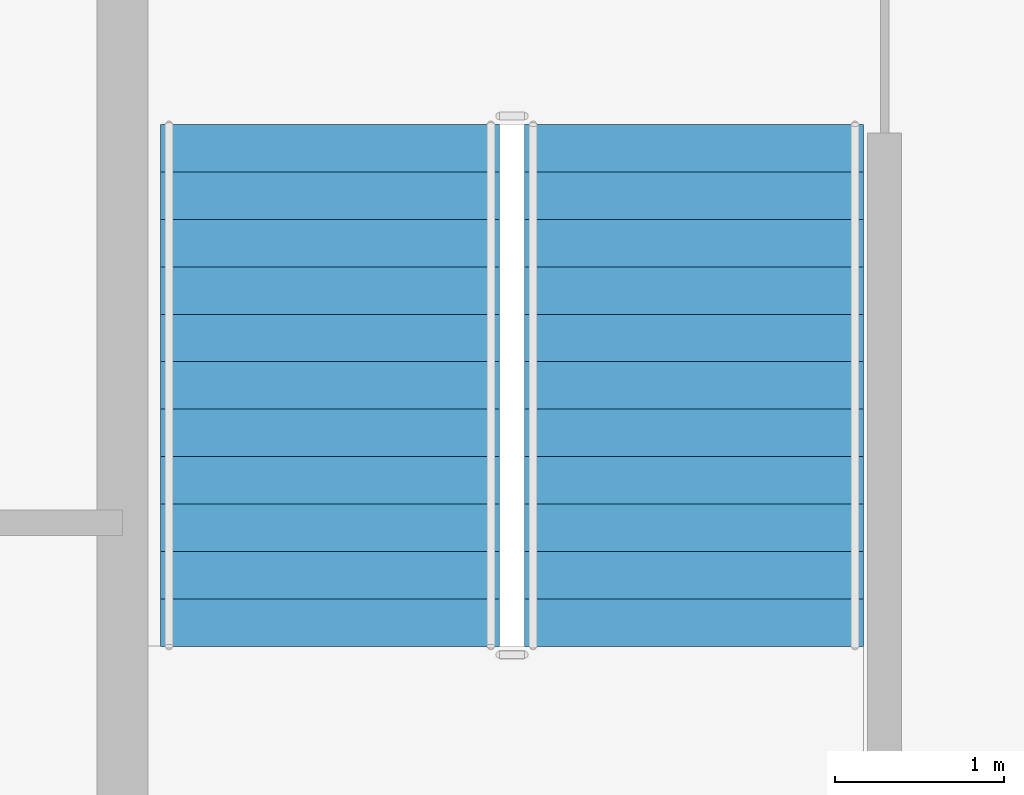
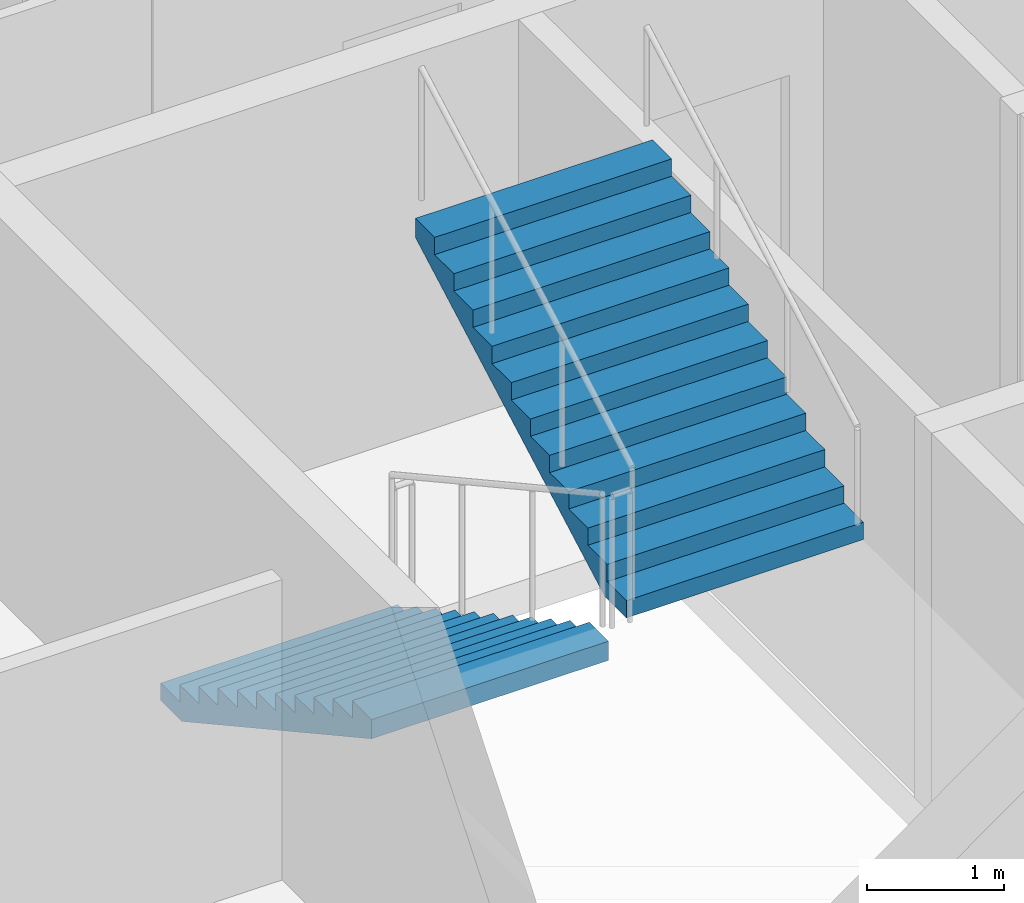
# One storey, part 7 of 11: 2 stair flights, 1 element without a shape of its own.
"""IFC4 building model written with IfcOpenShell, lengths in metres."""

from ifc_helpers import new_model, si_unit, direction, frame, origin, place, context, subcontext, project, spatial, polygons, material, type_object, element, aggregate, save


model = new_model("IFC4")

# Units and contexts
model_context = context("Model", 3, precision=1e-05, world=origin(), true_north=direction((0.0, 1.0)))
body_context = subcontext(model_context, "Body", "Model", "MODEL_VIEW")
ifc_project = project(units=[si_unit("LENGTHUNIT", "METRE"), si_unit("AREAUNIT", "SQUARE_METRE"), si_unit("VOLUMEUNIT", "CUBIC_METRE"), si_unit("PLANEANGLEUNIT", "RADIAN"), si_unit("MASSUNIT", "GRAM", prefix="KILO")], contexts=[model_context])

# Site, building, storey
site_placement = place(None, origin())
site = spatial("IfcSite", under=ifc_project, at=site_placement, CompositionType="ELEMENT")
building_placement = place(site_placement, origin())
building = spatial("IfcBuilding", under=site, at=building_placement, Name="Caravel Reach Hotel and Residences", CompositionType="ELEMENT")
storey_placement = place(building_placement, frame((0.0, 0.0, 249.0)))
storey = spatial("IfcBuildingStorey", under=building, at=storey_placement, Name="L63", CompositionType="ELEMENT", Elevation=249.0)

# Stair, stair flights
ifc_material_1 = material(Name="Concrete C40", Category="concrete")
stair_type = type_object("IfcStairType", Name="Core stair", PredefinedType="HALF_TURN_STAIR", material=ifc_material_1)
stair_placement = place(storey_placement, origin())
stair = element("IfcStair", 1, at=stair_placement, inside=storey, type_object=stair_type, Name="L63 Exit stair A", PredefinedType="HALF_TURN_STAIR")
ifc_material_2 = material(Name="Concrete C40", Category="concrete")
stair_flight_type = type_object("IfcStairFlightType", Name="Core stair flight", PredefinedType="STRAIGHT", material=ifc_material_2)
stair_flight_1_placement = place(storey_placement, frame((19.22509765625, 29.35009765625, 0.0), z_axis=(0.0, 0.0, 1.0), x_axis=(0.0, -1.0, 0.0)))
stair_flight_1 = element("IfcStairFlight", 2, at=stair_flight_1_placement, type_object=stair_flight_type, Name="ST-A flight 1", NumberOfRisers=12, NumberOfTreads=11, PredefinedType="STRAIGHT", RiserHeight=0.154166667, TreadLength=0.28, context=body_context, shape_type="Tessellation", body=[
    polygons([(0.3107950034306102, 1.0, 0.0), (0.3107950034306102, 0.6666666666666667, 0.0), (0.3107950034306102, 0.33333333333333337, 0.0), (0.3107950034306102, 0.0, 0.0), (0.3107950034306102, -0.33333333333333326, 0.0), (0.3107950034306102, -0.6666666666666667, 0.0), (0.3107950034306102, -1.0, 0.0), (3.081, 1.0, 1.524711087717319), (3.081, 0.6666666666666667, 1.524711087717319), (3.081, 0.33333333333333337, 1.524711087717319), (3.081, 0.0, 1.524711087717319), (3.081, -0.33333333333333326, 1.524711087717319), (3.081, -0.6666666666666667, 1.524711087717319), (3.081, -1.0, 1.524711087717319), (3.081, 1.0, 1.695833337), (3.081, 0.6666666666666667, 1.695833337), (3.081, 0.33333333333333337, 1.695833337), (3.081, 0.0, 1.695833337), (3.081, -0.33333333333333326, 1.695833337), (3.081, -0.6666666666666667, 1.695833337), (3.081, -1.0, 1.695833337), (2.8000000000000003, 1.0, 1.695833337), (2.8000000000000003, 0.6666666666666667, 1.695833337), (2.8000000000000003, 0.33333333333333337, 1.695833337), (2.8000000000000003, 0.0, 1.695833337), (2.8000000000000003, -0.33333333333333326, 1.695833337), (2.8000000000000003, -0.6666666666666667, 1.695833337), (2.8000000000000003, -1.0, 1.695833337), (2.8000000000000003, 1.0, 1.5416666700000001), (2.8000000000000003, 0.6666666666666667, 1.5416666700000001), (2.8000000000000003, 0.33333333333333337, 1.5416666700000001), (2.8000000000000003, 0.0, 1.5416666700000001), (2.8000000000000003, -0.33333333333333326, 1.5416666700000001), (2.8000000000000003, -0.6666666666666667, 1.5416666700000001), (2.8000000000000003, -1.0, 1.5416666700000001), (2.5200000000000005, 1.0, 1.5416666700000001), (2.5200000000000005, 0.6666666666666667, 1.5416666700000001), (2.5200000000000005, 0.33333333333333337, 1.5416666700000001), (2.5200000000000005, 0.0, 1.5416666700000001), (2.5200000000000005, -0.33333333333333326, 1.5416666700000001), (2.5200000000000005, -0.6666666666666667, 1.5416666700000001), (2.5200000000000005, -1.0, 1.5416666700000001), (2.5200000000000005, 1.0, 1.387500003), (2.5200000000000005, 0.6666666666666667, 1.387500003), (2.5200000000000005, 0.33333333333333337, 1.387500003), (2.5200000000000005, 0.0, 1.387500003), (2.5200000000000005, -0.33333333333333326, 1.387500003), (2.5200000000000005, -0.6666666666666667, 1.387500003), (2.5200000000000005, -1.0, 1.387500003), (2.24, 1.0, 1.387500003), (2.24, 0.6666666666666667, 1.387500003), (2.24, 0.33333333333333337, 1.387500003), (2.24, 0.0, 1.387500003), (2.24, -0.33333333333333326, 1.387500003), (2.24, -0.6666666666666667, 1.387500003), (2.24, -1.0, 1.387500003), (2.24, 1.0, 1.233333336), (2.24, 0.6666666666666667, 1.233333336), (2.24, 0.33333333333333337, 1.233333336), (2.24, 0.0, 1.233333336), (2.24, -0.33333333333333326, 1.233333336), (2.24, -0.6666666666666667, 1.233333336), (2.24, -1.0, 1.233333336), (1.9600000000000002, 1.0, 1.233333336), (1.9600000000000002, 0.6666666666666667, 1.233333336), (1.9600000000000002, 0.33333333333333337, 1.233333336), (1.9600000000000002, 0.0, 1.233333336), (1.9600000000000002, -0.33333333333333326, 1.233333336), (1.9600000000000002, -0.6666666666666667, 1.233333336), (1.9600000000000002, -1.0, 1.233333336), (1.9600000000000002, 1.0, 1.0791666690000001), (1.9600000000000002, 0.6666666666666667, 1.0791666690000001), (1.9600000000000002, 0.33333333333333337, 1.0791666690000001), (1.9600000000000002, 0.0, 1.0791666690000001), (1.9600000000000002, -0.33333333333333326, 1.0791666690000001), (1.9600000000000002, -0.6666666666666667, 1.0791666690000001), (1.9600000000000002, -1.0, 1.0791666690000001), (1.6800000000000002, 1.0, 1.0791666690000001), (1.6800000000000002, 0.6666666666666667, 1.0791666690000001), (1.6800000000000002, 0.33333333333333337, 1.0791666690000001), (1.6800000000000002, 0.0, 1.0791666690000001), (1.6800000000000002, -0.33333333333333326, 1.0791666690000001), (1.6800000000000002, -0.6666666666666667, 1.0791666690000001), (1.6800000000000002, -1.0, 1.0791666690000001), (1.6800000000000002, 1.0, 0.925000002), (1.6800000000000002, 0.6666666666666667, 0.925000002), (1.6800000000000002, 0.33333333333333337, 0.925000002), (1.6800000000000002, 0.0, 0.925000002), (1.6800000000000002, -0.33333333333333326, 0.925000002), (1.6800000000000002, -0.6666666666666667, 0.925000002), (1.6800000000000002, -1.0, 0.925000002), (1.4000000000000001, 1.0, 0.925000002), (1.4000000000000001, 0.6666666666666667, 0.925000002), (1.4000000000000001, 0.33333333333333337, 0.925000002), (1.4000000000000001, 0.0, 0.925000002), (1.4000000000000001, -0.33333333333333326, 0.925000002), (1.4000000000000001, -0.6666666666666667, 0.925000002), (1.4000000000000001, -1.0, 0.925000002), (1.4000000000000001, 1.0, 0.7708333350000001), (1.4000000000000001, 0.6666666666666667, 0.7708333350000001), (1.4000000000000001, 0.33333333333333337, 0.7708333350000001), (1.4000000000000001, 0.0, 0.7708333350000001), (1.4000000000000001, -0.33333333333333326, 0.7708333350000001), (1.4000000000000001, -0.6666666666666667, 0.7708333350000001), (1.4000000000000001, -1.0, 0.7708333350000001), (1.12, 1.0, 0.7708333350000001), (1.12, 0.6666666666666667, 0.7708333350000001), (1.12, 0.33333333333333337, 0.7708333350000001), (1.12, 0.0, 0.7708333350000001), (1.12, -0.33333333333333326, 0.7708333350000001), (1.12, -0.6666666666666667, 0.7708333350000001), (1.12, -1.0, 0.7708333350000001), (1.12, 1.0, 0.616666668), (1.12, 0.6666666666666667, 0.616666668), (1.12, 0.33333333333333337, 0.616666668), (1.12, 0.0, 0.616666668), (1.12, -0.33333333333333326, 0.616666668), (1.12, -0.6666666666666667, 0.616666668), (1.12, -1.0, 0.616666668), (0.8400000000000001, 1.0, 0.616666668), (0.8400000000000001, 0.6666666666666667, 0.616666668), (0.8400000000000001, 0.33333333333333337, 0.616666668), (0.8400000000000001, 0.0, 0.616666668), (0.8400000000000001, -0.33333333333333326, 0.616666668), (0.8400000000000001, -0.6666666666666667, 0.616666668), (0.8400000000000001, -1.0, 0.616666668), (0.8400000000000001, 1.0, 0.462500001), (0.8400000000000001, 0.6666666666666667, 0.462500001), (0.8400000000000001, 0.33333333333333337, 0.462500001), (0.8400000000000001, 0.0, 0.462500001), (0.8400000000000001, -0.33333333333333326, 0.462500001), (0.8400000000000001, -0.6666666666666667, 0.462500001), (0.8400000000000001, -1.0, 0.462500001), (0.56, 1.0, 0.462500001), (0.56, 0.6666666666666667, 0.462500001), (0.56, 0.33333333333333337, 0.462500001), (0.56, 0.0, 0.462500001), (0.56, -0.33333333333333326, 0.462500001), (0.56, -0.6666666666666667, 0.462500001), (0.56, -1.0, 0.462500001), (0.56, 1.0, 0.308333334), (0.56, 0.6666666666666667, 0.308333334), (0.56, 0.33333333333333337, 0.308333334), (0.56, 0.0, 0.308333334), (0.56, -0.33333333333333326, 0.308333334), (0.56, -0.6666666666666667, 0.308333334), (0.56, -1.0, 0.308333334), (0.28, 1.0, 0.308333334), (0.28, 0.6666666666666667, 0.308333334), (0.28, 0.33333333333333337, 0.308333334), (0.28, 0.0, 0.308333334), (0.28, -0.33333333333333326, 0.308333334), (0.28, -0.6666666666666667, 0.308333334), (0.28, -1.0, 0.308333334), (0.28, 1.0, 0.154166667), (0.28, 0.6666666666666667, 0.154166667), (0.28, 0.33333333333333337, 0.154166667), (0.28, 0.0, 0.154166667), (0.28, -0.33333333333333326, 0.154166667), (0.28, -0.6666666666666667, 0.154166667), (0.28, -1.0, 0.154166667), (-0.001, 1.0, 0.154166667), (-0.001, 0.6666666666666667, 0.154166667), (-0.001, 0.33333333333333337, 0.154166667), (-0.001, 0.0, 0.154166667), (-0.001, -0.33333333333333326, 0.154166667), (-0.001, -0.6666666666666667, 0.154166667), (-0.001, -1.0, 0.154166667), (-0.001, 1.0, 0.0), (-0.001, 0.6666666666666667, 0.0), (-0.001, 0.33333333333333337, 0.0), (-0.001, 0.0, 0.0), (-0.001, -0.33333333333333326, 0.0), (-0.001, -0.6666666666666667, 0.0), (-0.001, -1.0, 0.0)], [[[169, 162, 155, 148, 141, 134, 127, 120, 113, 106, 99, 92, 85, 78, 71, 64, 57, 50, 43, 36, 29, 22, 15, 8, 1]], [[7, 14, 21, 28, 35, 42, 49, 56, 63, 70, 77, 84, 91, 98, 105, 112, 119, 126, 133, 140, 147, 154, 161, 168, 175]], [[1, 8, 9, 2]], [[2, 9, 10, 3]], [[3, 10, 11, 4]], [[4, 11, 12, 5]], [[5, 12, 13, 6]], [[6, 13, 14, 7]], [[8, 15, 16, 9]], [[9, 16, 17, 10]], [[10, 17, 18, 11]], [[11, 18, 19, 12]], [[12, 19, 20, 13]], [[13, 20, 21, 14]], [[15, 22, 23, 16]], [[16, 23, 24, 17]], [[17, 24, 25, 18]], [[18, 25, 26, 19]], [[19, 26, 27, 20]], [[20, 27, 28, 21]], [[22, 29, 30, 23]], [[23, 30, 31, 24]], [[24, 31, 32, 25]], [[25, 32, 33, 26]], [[26, 33, 34, 27]], [[27, 34, 35, 28]], [[29, 36, 37, 30]], [[30, 37, 38, 31]], [[31, 38, 39, 32]], [[32, 39, 40, 33]], [[33, 40, 41, 34]], [[34, 41, 42, 35]], [[36, 43, 44, 37]], [[37, 44, 45, 38]], [[38, 45, 46, 39]], [[39, 46, 47, 40]], [[40, 47, 48, 41]], [[41, 48, 49, 42]], [[43, 50, 51, 44]], [[44, 51, 52, 45]], [[45, 52, 53, 46]], [[46, 53, 54, 47]], [[47, 54, 55, 48]], [[48, 55, 56, 49]], [[50, 57, 58, 51]], [[51, 58, 59, 52]], [[52, 59, 60, 53]], [[53, 60, 61, 54]], [[54, 61, 62, 55]], [[55, 62, 63, 56]], [[57, 64, 65, 58]], [[58, 65, 66, 59]], [[59, 66, 67, 60]], [[60, 67, 68, 61]], [[61, 68, 69, 62]], [[62, 69, 70, 63]], [[64, 71, 72, 65]], [[65, 72, 73, 66]], [[66, 73, 74, 67]], [[67, 74, 75, 68]], [[68, 75, 76, 69]], [[69, 76, 77, 70]], [[71, 78, 79, 72]], [[72, 79, 80, 73]], [[73, 80, 81, 74]], [[74, 81, 82, 75]], [[75, 82, 83, 76]], [[76, 83, 84, 77]], [[78, 85, 86, 79]], [[79, 86, 87, 80]], [[80, 87, 88, 81]], [[81, 88, 89, 82]], [[82, 89, 90, 83]], [[83, 90, 91, 84]], [[85, 92, 93, 86]], [[86, 93, 94, 87]], [[87, 94, 95, 88]], [[88, 95, 96, 89]], [[89, 96, 97, 90]], [[90, 97, 98, 91]], [[92, 99, 100, 93]], [[93, 100, 101, 94]], [[94, 101, 102, 95]], [[95, 102, 103, 96]], [[96, 103, 104, 97]], [[97, 104, 105, 98]], [[99, 106, 107, 100]], [[100, 107, 108, 101]], [[101, 108, 109, 102]], [[102, 109, 110, 103]], [[103, 110, 111, 104]], [[104, 111, 112, 105]], [[106, 113, 114, 107]], [[107, 114, 115, 108]], [[108, 115, 116, 109]], [[109, 116, 117, 110]], [[110, 117, 118, 111]], [[111, 118, 119, 112]], [[113, 120, 121, 114]], [[114, 121, 122, 115]], [[115, 122, 123, 116]], [[116, 123, 124, 117]], [[117, 124, 125, 118]], [[118, 125, 126, 119]], [[120, 127, 128, 121]], [[121, 128, 129, 122]], [[122, 129, 130, 123]], [[123, 130, 131, 124]], [[124, 131, 132, 125]], [[125, 132, 133, 126]], [[127, 134, 135, 128]], [[128, 135, 136, 129]], [[129, 136, 137, 130]], [[130, 137, 138, 131]], [[131, 138, 139, 132]], [[132, 139, 140, 133]], [[134, 141, 142, 135]], [[135, 142, 143, 136]], [[136, 143, 144, 137]], [[137, 144, 145, 138]], [[138, 145, 146, 139]], [[139, 146, 147, 140]], [[141, 148, 149, 142]], [[142, 149, 150, 143]], [[143, 150, 151, 144]], [[144, 151, 152, 145]], [[145, 152, 153, 146]], [[146, 153, 154, 147]], [[148, 155, 156, 149]], [[149, 156, 157, 150]], [[150, 157, 158, 151]], [[151, 158, 159, 152]], [[152, 159, 160, 153]], [[153, 160, 161, 154]], [[155, 162, 163, 156]], [[156, 163, 164, 157]], [[157, 164, 165, 158]], [[158, 165, 166, 159]], [[159, 166, 167, 160]], [[160, 167, 168, 161]], [[162, 169, 170, 163]], [[163, 170, 171, 164]], [[164, 171, 172, 165]], [[165, 172, 173, 166]], [[166, 173, 174, 167]], [[167, 174, 175, 168]], [[169, 1, 2, 170]], [[170, 2, 3, 171]], [[171, 3, 4, 172]], [[172, 4, 5, 173]], [[173, 5, 6, 174]], [[174, 6, 7, 175]]], closed=True),
])
stair_flight_2_placement = place(storey_placement, frame((21.375, 26.27001953125, 1.85009765625), z_axis=(0.0, 0.0, 1.0), x_axis=(0.0, 1.0, 0.0)))
stair_flight_2 = element("IfcStairFlight", 3, at=stair_flight_2_placement, type_object=stair_flight_type, Name="ST-A flight 2", NumberOfRisers=12, NumberOfTreads=11, PredefinedType="STRAIGHT", RiserHeight=0.154166667, TreadLength=0.28, context=body_context, shape_type="Tessellation", body=[
    polygons([(0.3107950034306102, 1.0, 0.0), (0.3107950034306102, 0.6666666666666667, 0.0), (0.3107950034306102, 0.33333333333333337, 0.0), (0.3107950034306102, 0.0, 0.0), (0.3107950034306102, -0.33333333333333326, 0.0), (0.3107950034306102, -0.6666666666666667, 0.0), (0.3107950034306102, -1.0, 0.0), (3.081, 1.0, 1.524711087717319), (3.081, 0.6666666666666667, 1.524711087717319), (3.081, 0.33333333333333337, 1.524711087717319), (3.081, 0.0, 1.524711087717319), (3.081, -0.33333333333333326, 1.524711087717319), (3.081, -0.6666666666666667, 1.524711087717319), (3.081, -1.0, 1.524711087717319), (3.081, 1.0, 1.695833337), (3.081, 0.6666666666666667, 1.695833337), (3.081, 0.33333333333333337, 1.695833337), (3.081, 0.0, 1.695833337), (3.081, -0.33333333333333326, 1.695833337), (3.081, -0.6666666666666667, 1.695833337), (3.081, -1.0, 1.695833337), (2.8000000000000003, 1.0, 1.695833337), (2.8000000000000003, 0.6666666666666667, 1.695833337), (2.8000000000000003, 0.33333333333333337, 1.695833337), (2.8000000000000003, 0.0, 1.695833337), (2.8000000000000003, -0.33333333333333326, 1.695833337), (2.8000000000000003, -0.6666666666666667, 1.695833337), (2.8000000000000003, -1.0, 1.695833337), (2.8000000000000003, 1.0, 1.5416666700000001), (2.8000000000000003, 0.6666666666666667, 1.5416666700000001), (2.8000000000000003, 0.33333333333333337, 1.5416666700000001), (2.8000000000000003, 0.0, 1.5416666700000001), (2.8000000000000003, -0.33333333333333326, 1.5416666700000001), (2.8000000000000003, -0.6666666666666667, 1.5416666700000001), (2.8000000000000003, -1.0, 1.5416666700000001), (2.5200000000000005, 1.0, 1.5416666700000001), (2.5200000000000005, 0.6666666666666667, 1.5416666700000001), (2.5200000000000005, 0.33333333333333337, 1.5416666700000001), (2.5200000000000005, 0.0, 1.5416666700000001), (2.5200000000000005, -0.33333333333333326, 1.5416666700000001), (2.5200000000000005, -0.6666666666666667, 1.5416666700000001), (2.5200000000000005, -1.0, 1.5416666700000001), (2.5200000000000005, 1.0, 1.387500003), (2.5200000000000005, 0.6666666666666667, 1.387500003), (2.5200000000000005, 0.33333333333333337, 1.387500003), (2.5200000000000005, 0.0, 1.387500003), (2.5200000000000005, -0.33333333333333326, 1.387500003), (2.5200000000000005, -0.6666666666666667, 1.387500003), (2.5200000000000005, -1.0, 1.387500003), (2.24, 1.0, 1.387500003), (2.24, 0.6666666666666667, 1.387500003), (2.24, 0.33333333333333337, 1.387500003), (2.24, 0.0, 1.387500003), (2.24, -0.33333333333333326, 1.387500003), (2.24, -0.6666666666666667, 1.387500003), (2.24, -1.0, 1.387500003), (2.24, 1.0, 1.233333336), (2.24, 0.6666666666666667, 1.233333336), (2.24, 0.33333333333333337, 1.233333336), (2.24, 0.0, 1.233333336), (2.24, -0.33333333333333326, 1.233333336), (2.24, -0.6666666666666667, 1.233333336), (2.24, -1.0, 1.233333336), (1.9600000000000002, 1.0, 1.233333336), (1.9600000000000002, 0.6666666666666667, 1.233333336), (1.9600000000000002, 0.33333333333333337, 1.233333336), (1.9600000000000002, 0.0, 1.233333336), (1.9600000000000002, -0.33333333333333326, 1.233333336), (1.9600000000000002, -0.6666666666666667, 1.233333336), (1.9600000000000002, -1.0, 1.233333336), (1.9600000000000002, 1.0, 1.0791666690000001), (1.9600000000000002, 0.6666666666666667, 1.0791666690000001), (1.9600000000000002, 0.33333333333333337, 1.0791666690000001), (1.9600000000000002, 0.0, 1.0791666690000001), (1.9600000000000002, -0.33333333333333326, 1.0791666690000001), (1.9600000000000002, -0.6666666666666667, 1.0791666690000001), (1.9600000000000002, -1.0, 1.0791666690000001), (1.6800000000000002, 1.0, 1.0791666690000001), (1.6800000000000002, 0.6666666666666667, 1.0791666690000001), (1.6800000000000002, 0.33333333333333337, 1.0791666690000001), (1.6800000000000002, 0.0, 1.0791666690000001), (1.6800000000000002, -0.33333333333333326, 1.0791666690000001), (1.6800000000000002, -0.6666666666666667, 1.0791666690000001), (1.6800000000000002, -1.0, 1.0791666690000001), (1.6800000000000002, 1.0, 0.925000002), (1.6800000000000002, 0.6666666666666667, 0.925000002), (1.6800000000000002, 0.33333333333333337, 0.925000002), (1.6800000000000002, 0.0, 0.925000002), (1.6800000000000002, -0.33333333333333326, 0.925000002), (1.6800000000000002, -0.6666666666666667, 0.925000002), (1.6800000000000002, -1.0, 0.925000002), (1.4000000000000001, 1.0, 0.925000002), (1.4000000000000001, 0.6666666666666667, 0.925000002), (1.4000000000000001, 0.33333333333333337, 0.925000002), (1.4000000000000001, 0.0, 0.925000002), (1.4000000000000001, -0.33333333333333326, 0.925000002), (1.4000000000000001, -0.6666666666666667, 0.925000002), (1.4000000000000001, -1.0, 0.925000002), (1.4000000000000001, 1.0, 0.7708333350000001), (1.4000000000000001, 0.6666666666666667, 0.7708333350000001), (1.4000000000000001, 0.33333333333333337, 0.7708333350000001), (1.4000000000000001, 0.0, 0.7708333350000001), (1.4000000000000001, -0.33333333333333326, 0.7708333350000001), (1.4000000000000001, -0.6666666666666667, 0.7708333350000001), (1.4000000000000001, -1.0, 0.7708333350000001), (1.12, 1.0, 0.7708333350000001), (1.12, 0.6666666666666667, 0.7708333350000001), (1.12, 0.33333333333333337, 0.7708333350000001), (1.12, 0.0, 0.7708333350000001), (1.12, -0.33333333333333326, 0.7708333350000001), (1.12, -0.6666666666666667, 0.7708333350000001), (1.12, -1.0, 0.7708333350000001), (1.12, 1.0, 0.616666668), (1.12, 0.6666666666666667, 0.616666668), (1.12, 0.33333333333333337, 0.616666668), (1.12, 0.0, 0.616666668), (1.12, -0.33333333333333326, 0.616666668), (1.12, -0.6666666666666667, 0.616666668), (1.12, -1.0, 0.616666668), (0.8400000000000001, 1.0, 0.616666668), (0.8400000000000001, 0.6666666666666667, 0.616666668), (0.8400000000000001, 0.33333333333333337, 0.616666668), (0.8400000000000001, 0.0, 0.616666668), (0.8400000000000001, -0.33333333333333326, 0.616666668), (0.8400000000000001, -0.6666666666666667, 0.616666668), (0.8400000000000001, -1.0, 0.616666668), (0.8400000000000001, 1.0, 0.462500001), (0.8400000000000001, 0.6666666666666667, 0.462500001), (0.8400000000000001, 0.33333333333333337, 0.462500001), (0.8400000000000001, 0.0, 0.462500001), (0.8400000000000001, -0.33333333333333326, 0.462500001), (0.8400000000000001, -0.6666666666666667, 0.462500001), (0.8400000000000001, -1.0, 0.462500001), (0.56, 1.0, 0.462500001), (0.56, 0.6666666666666667, 0.462500001), (0.56, 0.33333333333333337, 0.462500001), (0.56, 0.0, 0.462500001), (0.56, -0.33333333333333326, 0.462500001), (0.56, -0.6666666666666667, 0.462500001), (0.56, -1.0, 0.462500001), (0.56, 1.0, 0.308333334), (0.56, 0.6666666666666667, 0.308333334), (0.56, 0.33333333333333337, 0.308333334), (0.56, 0.0, 0.308333334), (0.56, -0.33333333333333326, 0.308333334), (0.56, -0.6666666666666667, 0.308333334), (0.56, -1.0, 0.308333334), (0.28, 1.0, 0.308333334), (0.28, 0.6666666666666667, 0.308333334), (0.28, 0.33333333333333337, 0.308333334), (0.28, 0.0, 0.308333334), (0.28, -0.33333333333333326, 0.308333334), (0.28, -0.6666666666666667, 0.308333334), (0.28, -1.0, 0.308333334), (0.28, 1.0, 0.154166667), (0.28, 0.6666666666666667, 0.154166667), (0.28, 0.33333333333333337, 0.154166667), (0.28, 0.0, 0.154166667), (0.28, -0.33333333333333326, 0.154166667), (0.28, -0.6666666666666667, 0.154166667), (0.28, -1.0, 0.154166667), (-0.001, 1.0, 0.154166667), (-0.001, 0.6666666666666667, 0.154166667), (-0.001, 0.33333333333333337, 0.154166667), (-0.001, 0.0, 0.154166667), (-0.001, -0.33333333333333326, 0.154166667), (-0.001, -0.6666666666666667, 0.154166667), (-0.001, -1.0, 0.154166667), (-0.001, 1.0, 0.0), (-0.001, 0.6666666666666667, 0.0), (-0.001, 0.33333333333333337, 0.0), (-0.001, 0.0, 0.0), (-0.001, -0.33333333333333326, 0.0), (-0.001, -0.6666666666666667, 0.0), (-0.001, -1.0, 0.0)], [[[169, 162, 155, 148, 141, 134, 127, 120, 113, 106, 99, 92, 85, 78, 71, 64, 57, 50, 43, 36, 29, 22, 15, 8, 1]], [[7, 14, 21, 28, 35, 42, 49, 56, 63, 70, 77, 84, 91, 98, 105, 112, 119, 126, 133, 140, 147, 154, 161, 168, 175]], [[1, 8, 9, 2]], [[2, 9, 10, 3]], [[3, 10, 11, 4]], [[4, 11, 12, 5]], [[5, 12, 13, 6]], [[6, 13, 14, 7]], [[8, 15, 16, 9]], [[9, 16, 17, 10]], [[10, 17, 18, 11]], [[11, 18, 19, 12]], [[12, 19, 20, 13]], [[13, 20, 21, 14]], [[15, 22, 23, 16]], [[16, 23, 24, 17]], [[17, 24, 25, 18]], [[18, 25, 26, 19]], [[19, 26, 27, 20]], [[20, 27, 28, 21]], [[22, 29, 30, 23]], [[23, 30, 31, 24]], [[24, 31, 32, 25]], [[25, 32, 33, 26]], [[26, 33, 34, 27]], [[27, 34, 35, 28]], [[29, 36, 37, 30]], [[30, 37, 38, 31]], [[31, 38, 39, 32]], [[32, 39, 40, 33]], [[33, 40, 41, 34]], [[34, 41, 42, 35]], [[36, 43, 44, 37]], [[37, 44, 45, 38]], [[38, 45, 46, 39]], [[39, 46, 47, 40]], [[40, 47, 48, 41]], [[41, 48, 49, 42]], [[43, 50, 51, 44]], [[44, 51, 52, 45]], [[45, 52, 53, 46]], [[46, 53, 54, 47]], [[47, 54, 55, 48]], [[48, 55, 56, 49]], [[50, 57, 58, 51]], [[51, 58, 59, 52]], [[52, 59, 60, 53]], [[53, 60, 61, 54]], [[54, 61, 62, 55]], [[55, 62, 63, 56]], [[57, 64, 65, 58]], [[58, 65, 66, 59]], [[59, 66, 67, 60]], [[60, 67, 68, 61]], [[61, 68, 69, 62]], [[62, 69, 70, 63]], [[64, 71, 72, 65]], [[65, 72, 73, 66]], [[66, 73, 74, 67]], [[67, 74, 75, 68]], [[68, 75, 76, 69]], [[69, 76, 77, 70]], [[71, 78, 79, 72]], [[72, 79, 80, 73]], [[73, 80, 81, 74]], [[74, 81, 82, 75]], [[75, 82, 83, 76]], [[76, 83, 84, 77]], [[78, 85, 86, 79]], [[79, 86, 87, 80]], [[80, 87, 88, 81]], [[81, 88, 89, 82]], [[82, 89, 90, 83]], [[83, 90, 91, 84]], [[85, 92, 93, 86]], [[86, 93, 94, 87]], [[87, 94, 95, 88]], [[88, 95, 96, 89]], [[89, 96, 97, 90]], [[90, 97, 98, 91]], [[92, 99, 100, 93]], [[93, 100, 101, 94]], [[94, 101, 102, 95]], [[95, 102, 103, 96]], [[96, 103, 104, 97]], [[97, 104, 105, 98]], [[99, 106, 107, 100]], [[100, 107, 108, 101]], [[101, 108, 109, 102]], [[102, 109, 110, 103]], [[103, 110, 111, 104]], [[104, 111, 112, 105]], [[106, 113, 114, 107]], [[107, 114, 115, 108]], [[108, 115, 116, 109]], [[109, 116, 117, 110]], [[110, 117, 118, 111]], [[111, 118, 119, 112]], [[113, 120, 121, 114]], [[114, 121, 122, 115]], [[115, 122, 123, 116]], [[116, 123, 124, 117]], [[117, 124, 125, 118]], [[118, 125, 126, 119]], [[120, 127, 128, 121]], [[121, 128, 129, 122]], [[122, 129, 130, 123]], [[123, 130, 131, 124]], [[124, 131, 132, 125]], [[125, 132, 133, 126]], [[127, 134, 135, 128]], [[128, 135, 136, 129]], [[129, 136, 137, 130]], [[130, 137, 138, 131]], [[131, 138, 139, 132]], [[132, 139, 140, 133]], [[134, 141, 142, 135]], [[135, 142, 143, 136]], [[136, 143, 144, 137]], [[137, 144, 145, 138]], [[138, 145, 146, 139]], [[139, 146, 147, 140]], [[141, 148, 149, 142]], [[142, 149, 150, 143]], [[143, 150, 151, 144]], [[144, 151, 152, 145]], [[145, 152, 153, 146]], [[146, 153, 154, 147]], [[148, 155, 156, 149]], [[149, 156, 157, 150]], [[150, 157, 158, 151]], [[151, 158, 159, 152]], [[152, 159, 160, 153]], [[153, 160, 161, 154]], [[155, 162, 163, 156]], [[156, 163, 164, 157]], [[157, 164, 165, 158]], [[158, 165, 166, 159]], [[159, 166, 167, 160]], [[160, 167, 168, 161]], [[162, 169, 170, 163]], [[163, 170, 171, 164]], [[164, 171, 172, 165]], [[165, 172, 173, 166]], [[166, 173, 174, 167]], [[167, 174, 175, 168]], [[169, 1, 2, 170]], [[170, 2, 3, 171]], [[171, 3, 4, 172]], [[172, 4, 5, 173]], [[173, 5, 6, 174]], [[174, 6, 7, 175]]], closed=True),
])
aggregate(stair, [stair_flight_1, stair_flight_2])

save(model, "model.ifc")
